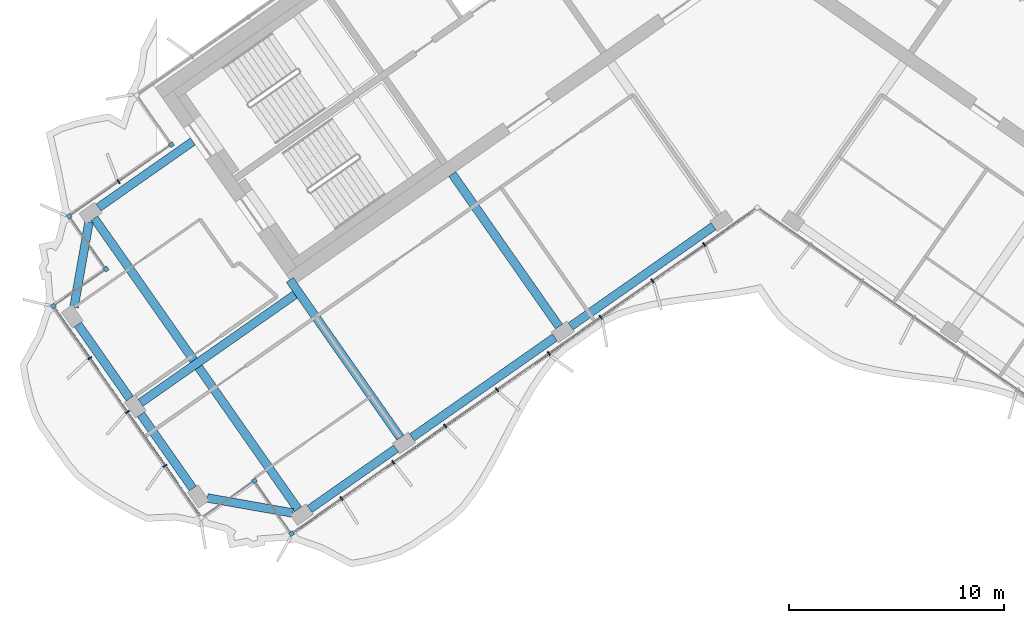
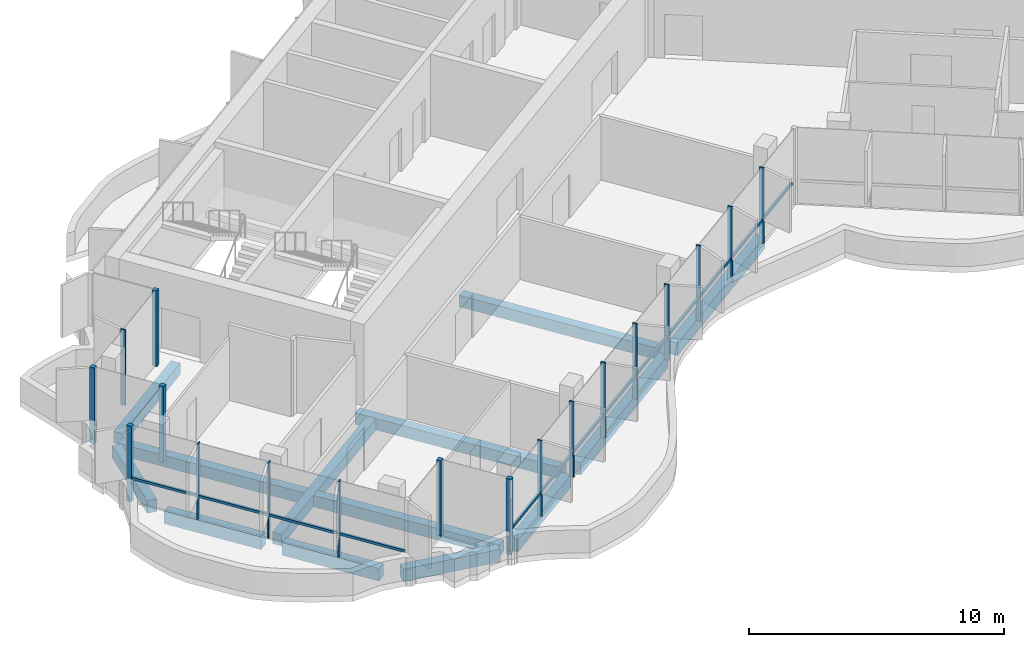
# One storey, part 2 of 18: 20 members, 12 beams, 2 elements without a shape of their own.
"""IFC4 building model written with IfcOpenShell, lengths in metres."""

from ifc_helpers import new_model, si_unit, direction, frame, origin, origin_2d, place, context, subcontext, project, spatial, rectangle, extrude, material, material_profile, profile_set, type_object, element, aggregate, save


model = new_model("IFC4")

# Units and contexts
model_context = context("Model", 3, precision=1e-05, world=origin(), true_north=direction((0.0, 1.0)))
body_context = subcontext(model_context, "Body", "Model", "MODEL_VIEW")
ifc_project = project(units=[si_unit("LENGTHUNIT", "METRE"), si_unit("AREAUNIT", "SQUARE_METRE"), si_unit("VOLUMEUNIT", "CUBIC_METRE"), si_unit("PLANEANGLEUNIT", "RADIAN"), si_unit("MASSUNIT", "GRAM", prefix="KILO")], contexts=[model_context])

# Site, building, storey
site_placement = place(None, origin())
site = spatial("IfcSite", under=ifc_project, at=site_placement, CompositionType="ELEMENT")
building_placement = place(site_placement, origin())
building = spatial("IfcBuilding", under=site, at=building_placement, Name="Tel Ilan Convention Tower", CompositionType="ELEMENT")
storey_placement = place(building_placement, frame((0.0, 0.0, 252.699951171875)))
storey = spatial("IfcBuildingStorey", under=building, at=storey_placement, Name="L59", CompositionType="ELEMENT", Elevation=252.699951171875)

# Beams
ifc_material_1 = material(Name="Concrete C40/50", Category="concrete")
ifc_material_profile_1 = material_profile(ifc_material_1, rectangle(XDim=0.39990234375, YDim=0.550048828125, at=origin_2d()), Name="RC 400x550")
ifc_profile_set_1 = profile_set([ifc_material_profile_1], Name="Concrete C40/50")
beam_type_1 = type_object("IfcBeamType", Name="Beam RC 400x550 Concrete C40/50", PredefinedType="BEAM", material=ifc_profile_set_1)
beam_1_placement = place(storey_placement, frame((-30.6005859375, -12.6982421875, -0.554931640625), z_axis=(0.819146154531, 0.573584847705, 0.0), x_axis=(-0.573584847705, 0.819146154531, 0.0)))
element("IfcBeam", 1, at=beam_1_placement, inside=storey, type_object=beam_type_1, Name="L59 beam W-W-BC-core", PredefinedType="BEAM", context=body_context, shape_type="SweptSolid", body=[
    extrude(rectangle(XDim=0.39990234375, YDim=0.550048828125, at=origin_2d()), origin(), (0.0, 0.0, 1.0), 5.349853515625),
])
beam_2_placement = place(storey_placement, frame((-9.209716796875, -18.229248046875, -0.554931640625), z_axis=(-0.573574099654, 0.819153680457, 0.0), x_axis=(-0.819153680457, -0.573574099654, 0.0)))
element("IfcBeam", 2, at=beam_2_placement, inside=storey, type_object=beam_type_1, Name="L59 beam W-W-F2-core", PredefinedType="BEAM", context=body_context, shape_type="SweptSolid", body=[
    extrude(rectangle(XDim=0.39990234375, YDim=0.550048828125, at=origin_2d()), origin(), (0.0, 0.0, 1.0), 8.64990234375),
])
beam_3_placement = place(storey_placement, frame((-16.58203125, -23.391357421875, -0.554931640625), z_axis=(-0.573584999642, 0.819146048141, 0.0), x_axis=(-0.819146048141, -0.573584999642, 0.0)))
element("IfcBeam", 3, at=beam_3_placement, inside=storey, type_object=beam_type_1, Name="L59 beam W-W-F3-core", PredefinedType="BEAM", context=body_context, shape_type="SweptSolid", body=[
    extrude(rectangle(XDim=0.39990234375, YDim=0.550048828125, at=origin_2d()), origin(), (0.0, 0.0, 1.0), 8.949951171875),
])
beam_4_placement = place(storey_placement, frame((-21.477783203125, -16.748046875, -0.554931640625), z_axis=(-0.819157197737, -0.573569076395, 0.0), x_axis=(0.573569076395, -0.819157197737, 0.0)))
element("IfcBeam", 4, at=beam_4_placement, inside=storey, type_object=beam_type_1, Name="L59 beam W-core-end", PredefinedType="BEAM", context=body_context, shape_type="SweptSolid", body=[
    extrude(rectangle(XDim=0.39990234375, YDim=0.550048828125, at=origin_2d()), origin(), (0.0, 0.0, 1.0), 8.75),
])
beam_5_placement = place(storey_placement, frame((-21.333251953125, -26.718017578125, -0.554931640625), z_axis=(-0.573574554643, 0.819153361872, 0.0), x_axis=(-0.819153361872, -0.573574554643, 0.0)))
element("IfcBeam", 5, at=beam_5_placement, inside=storey, type_object=beam_type_1, Name="L59 beam W-W-FC-W-BC", PredefinedType="BEAM", context=body_context, shape_type="SweptSolid", body=[
    extrude(rectangle(XDim=0.39990234375, YDim=0.550048828125, at=origin_2d()), origin(), (0.0, 0.0, 1.0), 16.499755859375),
])
ifc_material_2 = material(Name="Concrete C40/50", Category="concrete")
ifc_material_profile_2 = material_profile(ifc_material_2, rectangle(XDim=0.39990234375, YDim=0.60009765625, at=origin_2d()), Name="RC 400x600")
ifc_profile_set_2 = profile_set([ifc_material_profile_2], Name="Concrete C40/50")
beam_type_2 = type_object("IfcBeamType", Name="Beam RC 400x600 Concrete C40/50", PredefinedType="BEAM", material=ifc_profile_set_2)
beam_6_placement = place(storey_placement, frame((-2.033935546875, -13.57080078125, -0.579833984375), z_axis=(-0.81914553362, -0.573585734437, 0.0), x_axis=(0.573585734437, -0.81914553362, 0.0)))
element("IfcBeam", 6, at=beam_6_placement, inside=storey, type_object=beam_type_2, Name="L59 beam W-W-F1-W-F2", PredefinedType="BEAM", context=body_context, shape_type="SweptSolid", body=[
    extrude(rectangle(XDim=0.39990234375, YDim=0.60009765625, at=origin_2d()), origin(), (0.0, 0.0, 1.0), 8.099853515625),
])
beam_7_placement = place(storey_placement, frame((-9.40625, -18.73291015625, -0.579833984375), z_axis=(-0.819155449703, -0.573571572885, 0.0), x_axis=(0.573571572885, -0.819155449703, 0.0)))
element("IfcBeam", 7, at=beam_7_placement, inside=storey, type_object=beam_type_2, Name="L59 beam W-W-F2-W-F3", PredefinedType="BEAM", context=body_context, shape_type="SweptSolid", body=[
    extrude(rectangle(XDim=0.39990234375, YDim=0.60009765625, at=origin_2d()), origin(), (0.0, 0.0, 1.0), 8.10009765625),
])
beam_8_placement = place(storey_placement, frame((-16.778564453125, -23.895263671875, -0.579833984375), z_axis=(-0.819154669329, -0.573572687386, 0.0), x_axis=(0.573572687386, -0.819154669329, 0.0)))
element("IfcBeam", 8, at=beam_8_placement, inside=storey, type_object=beam_type_2, Name="L59 beam W-W-F3-W-FC", PredefinedType="BEAM", context=body_context, shape_type="SweptSolid", body=[
    extrude(rectangle(XDim=0.39990234375, YDim=0.60009765625, at=origin_2d()), origin(), (0.0, 0.0, 1.0), 4.900146484375),
])
beam_9_placement = place(storey_placement, frame((-21.578857421875, -26.89013671875, -0.579833984375), z_axis=(-0.984804894423, 0.173664388751, 0.0), x_axis=(-0.173664388751, -0.984804894423, 0.0)))
element("IfcBeam", 9, at=beam_9_placement, inside=storey, type_object=beam_type_2, Name="L59 beam W-W-FC-W-E1", PredefinedType="BEAM", context=body_context, shape_type="SweptSolid", body=[
    extrude(rectangle(XDim=0.39990234375, YDim=0.60009765625, at=origin_2d()), origin(), (0.0, 0.0, 1.0), 4.030517578125),
])
for number, where, z_axis, x_axis, name in (
    (10, (-26.22412109375, -25.748046875, -0.579833984375), (-0.573563773994, 0.819160910421, 0.0), (-0.819160910421, -0.573563773994, 0.0), "L59 beam W-W-E1-W-E2"),
    (11, (-29.1494140625, -21.5703125, -0.579833984375), (-0.573563773994, 0.819160910421, 0.0), (-0.819160910421, -0.573563773994, 0.0), "L59 beam W-W-E2-W-E3"),
):
    element("IfcBeam", number, at=place(storey_placement, frame(where, z_axis=z_axis, x_axis=x_axis)), inside=storey, type_object=beam_type_2, Name=name, PredefinedType="BEAM", context=body_context, shape_type="SweptSolid", body=[
        extrude(rectangle(XDim=0.39990234375, YDim=0.60009765625, at=origin_2d()), origin(), (0.0, 0.0, 1.0), 4.199951171875),
    ])
beam_10_placement = place(storey_placement, frame((-31.742919921875, -17.343505859375, -0.579833984375), z_axis=(0.173664388751, 0.984804894423, 0.0), x_axis=(-0.984804894423, 0.173664388751, 0.0)))
element("IfcBeam", 12, at=beam_10_placement, inside=storey, type_object=beam_type_2, Name="L59 beam W-W-E3-W-BC", PredefinedType="BEAM", context=body_context, shape_type="SweptSolid", body=[
    extrude(rectangle(XDim=0.39990234375, YDim=0.60009765625, at=origin_2d()), origin(), (0.0, 0.0, 1.0), 4.030517578125),
])

# Curtain wall, member
ifc_material_3 = material(Name="Aluminium, bronze anodised", Category="aluminium")
curtain_wall_type_1 = type_object("IfcCurtainWallType", Name="CW2 STICK CURTAIN WALL, SPANDREL PANELS", PredefinedType="NOTDEFINED", material=ifc_material_3)
curtain_wall_1_placement = place(storey_placement, origin())
curtain_wall_1 = element("IfcCurtainWall", 13, at=curtain_wall_1_placement, inside=storey, type_object=curtain_wall_type_1, Name="Curtain wall CW2-46.01", PredefinedType="NOTDEFINED")
ifc_material_4 = material(Name="Aluminium, bronze anodised", Category="aluminium")
ifc_material_profile_3 = material_profile(ifc_material_4, rectangle(XDim=0.199951171875, YDim=0.199951171875, at=origin_2d()), Name="CW CORNER MULLION 200x200")
ifc_profile_set_3 = profile_set([ifc_material_profile_3], Name="Aluminium, bronze anodised")
member_type_1 = type_object("IfcMemberType", Name="CW CORNER MULLION 200x200", PredefinedType="MULLION", material=ifc_profile_set_3)
member_1_placement = place(storey_placement, frame((-27.213623046875, -9.77734375, 0.0), z_axis=(0.0, 0.0, 1.0), x_axis=(0.573576436351, -0.819152044289, 0.0)))
member_1 = element("IfcMember", 14, at=member_1_placement, type_object=member_type_1, Name="Corner mullion", PredefinedType="MULLION", context=body_context, shape_type="SweptSolid", body=[
    extrude(rectangle(XDim=0.199951171875, YDim=0.199951171875, at=origin_2d()), origin(), (0.0, 0.0, 1.0), 3.6201171875),
])
aggregate(curtain_wall_1, [member_1])

# Curtain wall, members
ifc_material_5 = material(Name="Aluminium, bronze anodised", Category="aluminium")
curtain_wall_type_2 = type_object("IfcCurtainWallType", Name="CW5 STICK CURTAIN WALL, UPPER OFFICE LOW-IRON TINTED GLASS", PredefinedType="NOTDEFINED", material=ifc_material_5)
curtain_wall_2_placement = place(storey_placement, origin())
curtain_wall_2 = element("IfcCurtainWall", 15, at=curtain_wall_2_placement, inside=storey, type_object=curtain_wall_type_2, Name="Curtain wall CW5-46.02", PredefinedType="NOTDEFINED")
member_2_placement = place(storey_placement, frame((-31.964599609375, -13.10400390625, 0.0), z_axis=(0.0, 0.0, 1.0), x_axis=(-0.819152044289, -0.573576436351, 0.0)))
member_2 = element("IfcMember", 16, at=member_2_placement, type_object=member_type_1, Name="Corner mullion", PredefinedType="MULLION", context=body_context, shape_type="SweptSolid", body=[
    extrude(rectangle(XDim=0.199951171875, YDim=0.199951171875, at=origin_2d()), origin(), (0.0, 0.0, 1.0), 3.6201171875),
])
member_3_placement = place(storey_placement, frame((-30.243896484375, -15.5615234375, 0.0), z_axis=(0.0, 0.0, 1.0), x_axis=(0.573576436351, -0.819152044289, 0.0)))
member_3 = element("IfcMember", 17, at=member_3_placement, type_object=member_type_1, Name="Corner mullion", PredefinedType="MULLION", context=body_context, shape_type="SweptSolid", body=[
    extrude(rectangle(XDim=0.199951171875, YDim=0.199951171875, at=origin_2d()), origin(), (0.0, 0.0, 1.0), 3.6201171875),
])
member_4_placement = place(storey_placement, frame((-32.701416015625, -17.2822265625, 0.0), z_axis=(0.0, 0.0, 1.0), x_axis=(-0.819152044289, -0.573576436351, 0.0)))
member_4 = element("IfcMember", 18, at=member_4_placement, type_object=member_type_1, Name="Corner mullion", PredefinedType="MULLION", context=body_context, shape_type="SweptSolid", body=[
    extrude(rectangle(XDim=0.199951171875, YDim=0.199951171875, at=origin_2d()), origin(), (0.0, 0.0, 1.0), 3.6201171875),
])
member_5_placement = place(storey_placement, frame((-23.36083984375, -25.391357421875, 0.0), z_axis=(0.0, 0.0, 1.0), x_axis=(0.819152044289, 0.573576436351, 0.0)))
member_5 = element("IfcMember", 19, at=member_5_placement, type_object=member_type_1, Name="Corner mullion", PredefinedType="MULLION", context=body_context, shape_type="SweptSolid", body=[
    extrude(rectangle(XDim=0.199951171875, YDim=0.199951171875, at=origin_2d()), origin(), (0.0, 0.0, 1.0), 3.6201171875),
])
member_6_placement = place(storey_placement, frame((-21.64013671875, -27.8486328125, 0.0), z_axis=(0.0, 0.0, 1.0), x_axis=(0.573576436351, -0.819152044289, 0.0)))
member_6 = element("IfcMember", 20, at=member_6_placement, type_object=member_type_1, Name="Corner mullion", PredefinedType="MULLION", context=body_context, shape_type="SweptSolid", body=[
    extrude(rectangle(XDim=0.199951171875, YDim=0.199951171875, at=origin_2d()), origin(), (0.0, 0.0, 1.0), 3.6201171875),
])
ifc_material_6 = material(Name="Aluminium, bronze anodised", Category="aluminium")
ifc_material_profile_4 = material_profile(ifc_material_6, rectangle(XDim=0.06005859375, YDim=0.199951171875, at=origin_2d()), Name="CW MULLION 60x200")
ifc_profile_set_4 = profile_set([ifc_material_profile_4], Name="Aluminium, bronze anodised")
member_type_2 = type_object("IfcMemberType", Name="CW MULLION 60x200", PredefinedType="MULLION", material=ifc_profile_set_4)
member_7_placement = place(storey_placement, frame((-29.6708984375, -11.498046875, 0.0), z_axis=(0.0, 0.0, 1.0), x_axis=(-0.819152044289, -0.573576436351, 0.0)))
member_7 = element("IfcMember", 21, at=member_7_placement, type_object=member_type_2, Name="Mullion", PredefinedType="MULLION", context=body_context, shape_type="SweptSolid", body=[
    extrude(rectangle(XDim=0.06005859375, YDim=0.199951171875, at=origin_2d()), origin(), (0.0, 0.0, 1.0), 3.6201171875),
])
member_8_placement = place(storey_placement, frame((-31.00927734375, -19.69873046875, 0.0), z_axis=(0.0, 0.0, 1.0), x_axis=(0.573576436351, -0.819152044289, 0.0)))
member_8 = element("IfcMember", 22, at=member_8_placement, type_object=member_type_2, Name="Mullion", PredefinedType="MULLION", context=body_context, shape_type="SweptSolid", body=[
    extrude(rectangle(XDim=0.06005859375, YDim=0.199951171875, at=origin_2d()), origin(), (0.0, 0.0, 1.0), 3.6201171875),
])
member_9_placement = place(storey_placement, frame((-29.259765625, -22.197021484375, 0.0), z_axis=(0.0, 0.0, 1.0), x_axis=(0.573576436351, -0.819152044289, 0.0)))
member_9 = element("IfcMember", 23, at=member_9_placement, type_object=member_type_2, Name="Mullion", PredefinedType="MULLION", context=body_context, shape_type="SweptSolid", body=[
    extrude(rectangle(XDim=0.06005859375, YDim=0.199951171875, at=origin_2d()), origin(), (0.0, 0.0, 1.0), 3.6201171875),
])
member_10_placement = place(storey_placement, frame((-27.510498046875, -24.695556640625, 0.0), z_axis=(0.0, 0.0, 1.0), x_axis=(0.573576436351, -0.819152044289, 0.0)))
member_10 = element("IfcMember", 24, at=member_10_placement, type_object=member_type_2, Name="Mullion", PredefinedType="MULLION", context=body_context, shape_type="SweptSolid", body=[
    extrude(rectangle(XDim=0.06005859375, YDim=0.199951171875, at=origin_2d()), origin(), (0.0, 0.0, 1.0), 3.6201171875),
])
member_11_placement = place(storey_placement, frame((-19.31494140625, -26.220458984375, 0.0), z_axis=(0.0, 0.0, 1.0), x_axis=(0.819152044289, 0.573576436351, 0.0)))
member_11 = element("IfcMember", 25, at=member_11_placement, type_object=member_type_2, Name="Mullion", PredefinedType="MULLION", context=body_context, shape_type="SweptSolid", body=[
    extrude(rectangle(XDim=0.06005859375, YDim=0.199951171875, at=origin_2d()), origin(), (0.0, 0.0, 1.0), 3.6201171875),
])
member_12_placement = place(storey_placement, frame((-16.90771484375, -24.534912109375, 0.0), z_axis=(0.0, 0.0, 1.0), x_axis=(0.819152044289, 0.573576436351, 0.0)))
member_12 = element("IfcMember", 26, at=member_12_placement, type_object=member_type_2, Name="Mullion", PredefinedType="MULLION", context=body_context, shape_type="SweptSolid", body=[
    extrude(rectangle(XDim=0.06005859375, YDim=0.199951171875, at=origin_2d()), origin(), (0.0, 0.0, 1.0), 3.6201171875),
])
member_13_placement = place(storey_placement, frame((-14.50048828125, -22.849365234375, 0.0), z_axis=(0.0, 0.0, 1.0), x_axis=(0.819152044289, 0.573576436351, 0.0)))
member_13 = element("IfcMember", 27, at=member_13_placement, type_object=member_type_2, Name="Mullion", PredefinedType="MULLION", context=body_context, shape_type="SweptSolid", body=[
    extrude(rectangle(XDim=0.06005859375, YDim=0.199951171875, at=origin_2d()), origin(), (0.0, 0.0, 1.0), 3.6201171875),
])
member_14_placement = place(storey_placement, frame((-12.09326171875, -21.163818359375, 0.0), z_axis=(0.0, 0.0, 1.0), x_axis=(0.819152044289, 0.573576436351, 0.0)))
member_14 = element("IfcMember", 28, at=member_14_placement, type_object=member_type_2, Name="Mullion", PredefinedType="MULLION", context=body_context, shape_type="SweptSolid", body=[
    extrude(rectangle(XDim=0.06005859375, YDim=0.199951171875, at=origin_2d()), origin(), (0.0, 0.0, 1.0), 3.6201171875),
])
member_15_placement = place(storey_placement, frame((-9.68603515625, -19.478271484375, 0.0), z_axis=(0.0, 0.0, 1.0), x_axis=(0.819152044289, 0.573576436351, 0.0)))
member_15 = element("IfcMember", 29, at=member_15_placement, type_object=member_type_2, Name="Mullion", PredefinedType="MULLION", context=body_context, shape_type="SweptSolid", body=[
    extrude(rectangle(XDim=0.06005859375, YDim=0.199951171875, at=origin_2d()), origin(), (0.0, 0.0, 1.0), 3.6201171875),
])
member_16_placement = place(storey_placement, frame((-7.279052734375, -17.792724609375, 0.0), z_axis=(0.0, 0.0, 1.0), x_axis=(0.819152044289, 0.573576436351, 0.0)))
member_16 = element("IfcMember", 30, at=member_16_placement, type_object=member_type_2, Name="Mullion", PredefinedType="MULLION", context=body_context, shape_type="SweptSolid", body=[
    extrude(rectangle(XDim=0.06005859375, YDim=0.199951171875, at=origin_2d()), origin(), (0.0, 0.0, 1.0), 3.6201171875),
])
member_17_placement = place(storey_placement, frame((-4.871826171875, -16.107177734375, 0.0), z_axis=(0.0, 0.0, 1.0), x_axis=(0.819152044289, 0.573576436351, 0.0)))
member_17 = element("IfcMember", 31, at=member_17_placement, type_object=member_type_2, Name="Mullion", PredefinedType="MULLION", context=body_context, shape_type="SweptSolid", body=[
    extrude(rectangle(XDim=0.06005859375, YDim=0.199951171875, at=origin_2d()), origin(), (0.0, 0.0, 1.0), 3.6201171875),
])
member_18_placement = place(storey_placement, frame((-2.464599609375, -14.421875, 0.0), z_axis=(0.0, 0.0, 1.0), x_axis=(0.819152044289, 0.573576436351, 0.0)))
member_18 = element("IfcMember", 32, at=member_18_placement, type_object=member_type_2, Name="Mullion", PredefinedType="MULLION", context=body_context, shape_type="SweptSolid", body=[
    extrude(rectangle(XDim=0.06005859375, YDim=0.199951171875, at=origin_2d()), origin(), (0.0, 0.0, 1.0), 3.6201171875),
])
ifc_material_7 = material(Name="Aluminium, bronze anodised", Category="aluminium")
ifc_material_profile_5 = material_profile(ifc_material_7, rectangle(XDim=0.10009765625, YDim=0.1201171875, at=origin_2d()), Name="CW TRANSOM 100x120")
ifc_profile_set_5 = profile_set([ifc_material_profile_5], Name="Aluminium, bronze anodised")
member_type_3 = type_object("IfcMemberType", Name="CW TRANSOM 100x120", PredefinedType="USERDEFINED", material=ifc_profile_set_5)
member_19_placement = place(storey_placement, frame((-32.64404296875, -17.364013671875, 1.10009765625), z_axis=(0.573581755582, -0.819148319698, 0.0), x_axis=(0.819148319698, 0.573581755582, 0.0)))
member_19 = element("IfcMember", 33, at=member_19_placement, type_object=member_type_3, Name="Transom", ObjectType="TRANSOM", PredefinedType="USERDEFINED", context=body_context, shape_type="SweptSolid", body=[
    extrude(rectangle(XDim=0.10009765625, YDim=0.1201171875, at=origin_2d()), origin(), (0.0, 0.0, 1.0), 11.800048828125),
])
member_20_placement = place(storey_placement, frame((-21.558349609375, -27.791259765625, 1.10009765625), z_axis=(0.819152212587, 0.573576195996, 0.0), x_axis=(-0.573576195996, 0.819152212587, 0.0)))
member_20 = element("IfcMember", 34, at=member_20_placement, type_object=member_type_3, Name="Transom", ObjectType="TRANSOM", PredefinedType="USERDEFINED", context=body_context, shape_type="SweptSolid", body=[
    extrude(rectangle(XDim=0.10009765625, YDim=0.1201171875, at=origin_2d()), origin(), (0.0, 0.0, 1.0), 26.0478515625),
])
aggregate(curtain_wall_2, [member_7, member_2, member_3, member_4, member_8, member_9, member_10, member_19, member_5, member_6, member_11, member_12, member_13, member_14, member_15, member_16, member_17, member_18, member_20])

save(model, "model.ifc")
